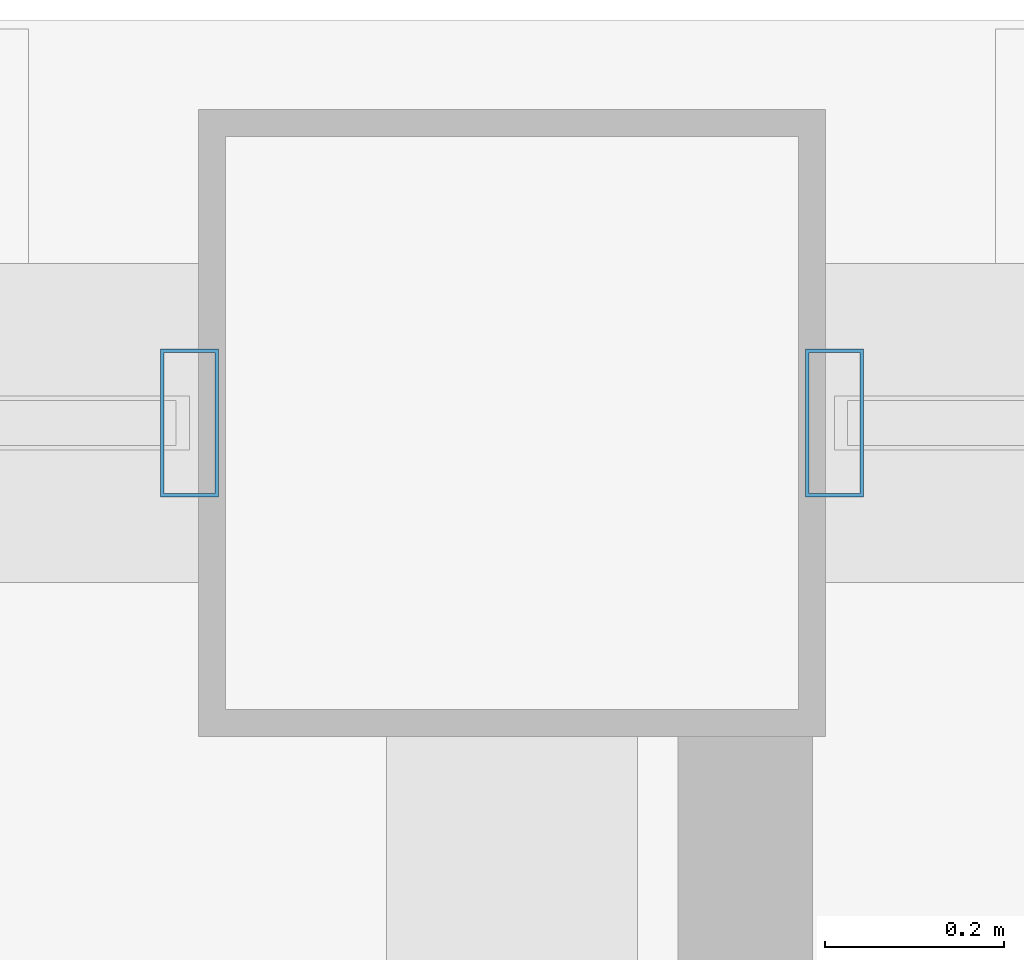
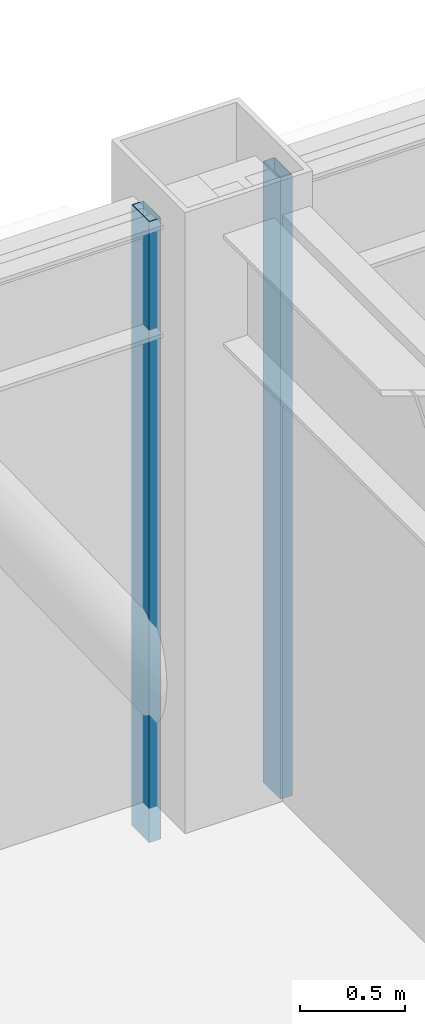
# One storey, part 23 of 33: 2 members, 2 elements without a shape of their own.
"""IFC4 building model written with IfcOpenShell, lengths in metres."""

from ifc_helpers import new_model, si_unit, direction, frame, origin, origin_2d, place, context, subcontext, project, spatial, hollow_rectangle, extrude, material, layer, layer_set, material_profile, profile_set, type_object, element, aggregate, save


model = new_model("IFC4")

# Units and contexts
model_context = context("Model", 3, precision=1e-05, world=origin(), true_north=direction((0.0, 1.0)))
body_context = subcontext(model_context, "Body", "Model", "MODEL_VIEW")
ifc_project = project(units=[si_unit("LENGTHUNIT", "METRE"), si_unit("AREAUNIT", "SQUARE_METRE"), si_unit("VOLUMEUNIT", "CUBIC_METRE"), si_unit("PLANEANGLEUNIT", "RADIAN"), si_unit("MASSUNIT", "GRAM", prefix="KILO")], contexts=[model_context])

# Site, building, storey
site_placement = place(None, origin())
site = spatial("IfcSite", under=ifc_project, at=site_placement, CompositionType="ELEMENT")
building_placement = place(site_placement, origin())
building = spatial("IfcBuilding", under=site, at=building_placement, Name="Brelmoor Portico Tower", CompositionType="ELEMENT")
storey_placement = place(building_placement, frame((0.0, 0.0, 194.699951171875)))
storey = spatial("IfcBuildingStorey", under=building, at=storey_placement, Name="L51", CompositionType="ELEMENT", Elevation=194.699951171875)

# Curtain wall, member
ifc_material = material(Name="Anodised Aluminium Alloy 6063-T6", Category="aluminium")
ifc_layer = layer(ifc_material, 0.179931640625)
ifc_layer_set = layer_set([ifc_layer], Name="Anodised Aluminium Alloy 6063-T6")
curtain_wall_type = type_object("IfcCurtainWallType", Name="CW-TOWER-Z3-XB", PredefinedType="NOTDEFINED", material=ifc_layer_set)
curtain_wall_1_placement = place(storey_placement, origin())
curtain_wall_1 = element("IfcCurtainWall", 1, at=curtain_wall_1_placement, inside=storey, type_object=curtain_wall_type, Name="L51 Curtain Wall CW-L51-02-1", PredefinedType="NOTDEFINED")
ifc_material_profile = material_profile(ifc_material, hollow_rectangle(XDim=0.06494140625, YDim=0.1650390625, WallThickness=0.00390625, at=origin_2d()), Name="ALU MULLION 65x165")
ifc_profile_set = profile_set([ifc_material_profile], Name="Anodised Aluminium Alloy 6063-T6")
member_type = type_object("IfcMemberType", Name="MB-CW-MULL-165", PredefinedType="MULLION", material=ifc_profile_set)
member_1_placement = place(storey_placement, frame((-8.409912109375, 18.550048828125, -0.199951171875), z_axis=(0.0, 0.0, 1.0), x_axis=(1.0, 0.0, 0.0)))
member_1 = element("IfcMember", 2, at=member_1_placement, type_object=member_type, Name="CW-L51-02-1 Mullion 01", PredefinedType="MULLION", context=body_context, shape_type="SweptSolid", body=[
    extrude(hollow_rectangle(XDim=0.06494140625, YDim=0.1650390625, WallThickness=0.00390625, at=origin_2d()), origin(), (0.0, 0.0, 1.0), 3.60009765625),
])
aggregate(curtain_wall_1, [member_1])

curtain_wall_2_placement = place(storey_placement, origin())
curtain_wall_2 = element("IfcCurtainWall", 3, at=curtain_wall_2_placement, inside=storey, type_object=curtain_wall_type, Name="L51 Curtain Wall CW-L51-02-2", PredefinedType="NOTDEFINED")
member_2_placement = place(storey_placement, frame((-7.68994140625, 18.550048828125, -0.199951171875), z_axis=(0.0, 0.0, 1.0), x_axis=(1.0, 0.0, 0.0)))
member_2 = element("IfcMember", 4, at=member_2_placement, type_object=member_type, Name="CW-L51-02-2 Mullion 00", PredefinedType="MULLION", context=body_context, shape_type="SweptSolid", body=[
    extrude(hollow_rectangle(XDim=0.06494140625, YDim=0.1650390625, WallThickness=0.00390625, at=origin_2d()), origin(), (0.0, 0.0, 1.0), 3.60009765625),
])
aggregate(curtain_wall_2, [member_2])

save(model, "model.ifc")
